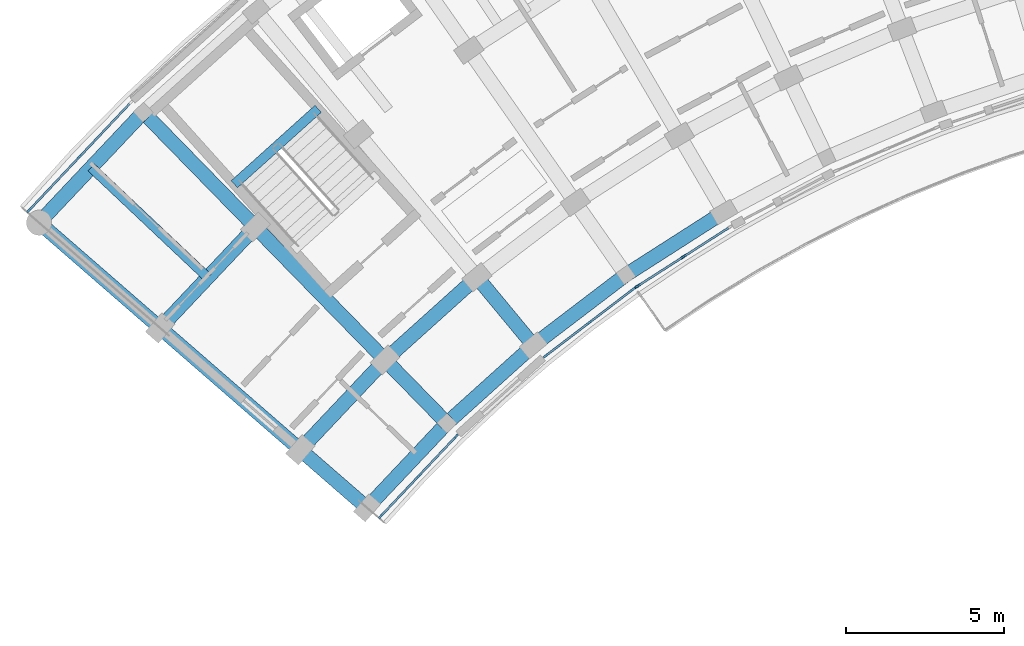
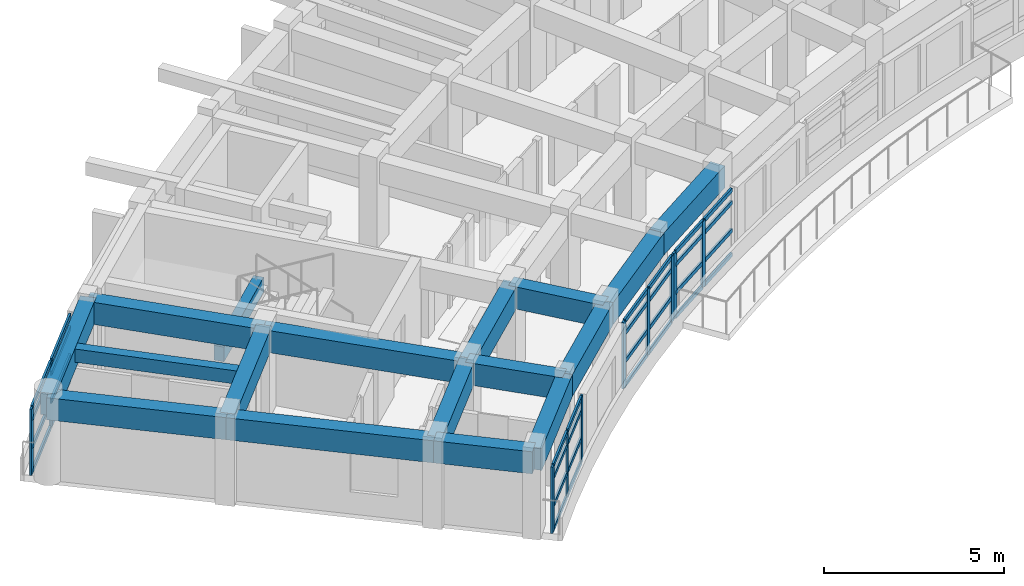
# One storey, part 3 of 56: 42 members, 17 beams, 4 elements without a shape of their own.
"""IFC4 building model written with IfcOpenShell, lengths in metres."""

from ifc_helpers import new_model, si_unit, direction, frame, origin, origin_2d, place, context, subcontext, project, spatial, rectangle, extrude, material, material_profile, profile_set, type_object, element, aggregate, save


model = new_model("IFC4")

# Units and contexts
model_context = context("Model", 3, precision=1e-05, world=origin(), true_north=direction((0.0, 1.0)))
body_context = subcontext(model_context, "Body", "Model", "MODEL_VIEW")
ifc_project = project(units=[si_unit("LENGTHUNIT", "METRE"), si_unit("AREAUNIT", "SQUARE_METRE"), si_unit("VOLUMEUNIT", "CUBIC_METRE"), si_unit("PLANEANGLEUNIT", "RADIAN"), si_unit("MASSUNIT", "GRAM", prefix="KILO")], contexts=[model_context])

# Site, building, storey
site_placement = place(None, origin())
site = spatial("IfcSite", under=ifc_project, at=site_placement, CompositionType="ELEMENT")
building_placement = place(site_placement, origin())
building = spatial("IfcBuilding", under=site, at=building_placement, Name="Zimvara Arc Housing Community", CompositionType="ELEMENT")
storey_placement = place(building_placement, frame((0.0, 0.0, 11.199951171875)))
storey = spatial("IfcBuildingStorey", under=building, at=storey_placement, Name="L03", CompositionType="ELEMENT", Elevation=11.199951171875)

# Beams
ifc_material_1 = material(Name="Concrete C40/50", Category="concrete")
ifc_material_profile_1 = material_profile(ifc_material_1, rectangle(XDim=0.300048828125, YDim=0.449951171875, at=origin_2d()), Name="RC 300x450")
ifc_profile_set_1 = profile_set([ifc_material_profile_1], Name="Concrete C40/50")
beam_type_1 = type_object("IfcBeamType", Name="BM-RC-300x450", PredefinedType="JOIST", material=ifc_profile_set_1)
beam_1_placement = place(storey_placement, frame((5.904296875, 81.3935546875, 2.635009765625), z_axis=(-0.727299876429, 0.686319815936, 0.0), x_axis=(-0.686319815936, -0.727299876429, 0.0)))
element("IfcBeam", 1, at=beam_1_placement, inside=storey, type_object=beam_type_1, Name="bm:blkA:L03:joist:b0", PredefinedType="JOIST", context=body_context, shape_type="SweptSolid", body=[
    extrude(rectangle(XDim=0.300048828125, YDim=0.449951171875, at=origin_2d()), origin(), (0.0, 0.0, 1.0), 5.075927734375),
])
ifc_material_2 = material(Name="Concrete C40/50", Category="concrete")
ifc_material_profile_2 = material_profile(ifc_material_2, rectangle(XDim=0.300048828125, YDim=0.5, at=origin_2d()), Name="RC 300x500")
ifc_profile_set_2 = profile_set([ifc_material_profile_2], Name="Concrete C40/50")
beam_type_2 = type_object("IfcBeamType", Name="BM-RC-300x500", PredefinedType="BEAM", material=ifc_profile_set_2)
beam_2_placement = place(storey_placement, frame((9.39990234375, 86.734375, 1.300048828125), z_axis=(-0.743362151162, -0.668889162881, 0.0), x_axis=(0.668889162881, -0.743362151162, 0.0)))
element("IfcBeam", 2, at=beam_2_placement, inside=storey, type_object=beam_type_2, Name="bm:stair_trim:ST-A1:L03:mid", PredefinedType="BEAM", context=body_context, shape_type="SweptSolid", body=[
    extrude(rectangle(XDim=0.300048828125, YDim=0.5, at=origin_2d()), origin(), (0.0, 0.0, 1.0), 3.570068359375),
])
ifc_material_3 = material(Name="Concrete C40/50", Category="concrete")
ifc_material_profile_3 = material_profile(ifc_material_3, rectangle(XDim=0.449951171875, YDim=0.75, at=origin_2d()), Name="RC 450x750")
ifc_profile_set_3 = profile_set([ifc_material_profile_3], Name="Concrete C40/50")
beam_type_3 = type_object("IfcBeamType", Name="BM-RC-450x750", PredefinedType="BEAM", material=ifc_profile_set_3)
beam_3_placement = place(storey_placement, frame((10.947509765625, 74.101318359375, 2.485107421875), z_axis=(0.686335517678, 0.727285059088, 0.0), x_axis=(-0.727285059088, 0.686335517678, 0.0)))
element("IfcBeam", 3, at=beam_3_placement, inside=storey, type_object=beam_type_3, Name="bm:blkA:L03:chord:r0:b0", PredefinedType="BEAM", context=body_context, shape_type="SweptSolid", body=[
    extrude(rectangle(XDim=0.449951171875, YDim=0.75, at=origin_2d()), origin(), (0.0, 0.0, 1.0), 3.6845703125),
])
beam_4_placement = place(storey_placement, frame((13.476318359375, 76.781005859375, 2.485107421875), z_axis=(0.743366631239, 0.668884183966, 0.0), x_axis=(-0.668884183966, 0.743366631239, 0.0)))
element("IfcBeam", 4, at=beam_4_placement, inside=storey, type_object=beam_type_3, Name="bm:blkA:L03:chord:r0:b1", PredefinedType="BEAM", context=body_context, shape_type="SweptSolid", body=[
    extrude(rectangle(XDim=0.449951171875, YDim=0.75, at=origin_2d()), origin(), (0.0, 0.0, 1.0), 3.684326171875),
])
beam_5_placement = place(storey_placement, frame((16.215087890625, 79.245361328125, 2.485107421875), z_axis=(0.795453014049, 0.606015265847, 0.0), x_axis=(-0.606015265847, 0.795453014049, 0.0)))
element("IfcBeam", 5, at=beam_5_placement, inside=storey, type_object=beam_type_3, Name="bm:blkA:L03:chord:r0:b2", PredefinedType="BEAM", context=body_context, shape_type="SweptSolid", body=[
    extrude(rectangle(XDim=0.449951171875, YDim=0.75, at=origin_2d()), origin(), (0.0, 0.0, 1.0), 3.6845703125),
])
beam_6_placement = place(storey_placement, frame((19.14599609375, 81.478271484375, 2.485107421875), z_axis=(0.842272604079, 0.539051816079, 0.0), x_axis=(-0.539051816079, 0.842272604079, 0.0)))
element("IfcBeam", 6, at=beam_6_placement, inside=storey, type_object=beam_type_3, Name="bm:blkA:L03:chord:r0:b3", PredefinedType="BEAM", context=body_context, shape_type="SweptSolid", body=[
    extrude(rectangle(XDim=0.449951171875, YDim=0.75, at=origin_2d()), origin(), (0.0, 0.0, 1.0), 3.684326171875),
])
beam_7_placement = place(storey_placement, frame((8.834228515625, 75.938232421875, 2.485107421875), z_axis=(0.686315710793, 0.727303750243, 0.0), x_axis=(-0.727303750243, 0.686315710793, 0.0)))
element("IfcBeam", 7, at=beam_7_placement, inside=storey, type_object=beam_type_3, Name="bm:blkA:L03:chord:r1:b0", PredefinedType="BEAM", context=body_context, shape_type="SweptSolid", body=[
    extrude(rectangle(XDim=0.449951171875, YDim=0.75, at=origin_2d()), origin(), (0.0, 0.0, 1.0), 3.913330078125),
])
beam_8_placement = place(storey_placement, frame((11.52001953125, 78.784423828125, 2.485107421875), z_axis=(0.743402719516, 0.668844074965, 0.0), x_axis=(-0.668844074965, 0.743402719516, 0.0)))
element("IfcBeam", 8, at=beam_8_placement, inside=storey, type_object=beam_type_3, Name="bm:blkA:L03:chord:r1:b1", PredefinedType="BEAM", context=body_context, shape_type="SweptSolid", body=[
    extrude(rectangle(XDim=0.449951171875, YDim=0.75, at=origin_2d()), origin(), (0.0, 0.0, 1.0), 3.9130859375),
])
beam_9_placement = place(storey_placement, frame((4.396728515625, 79.7958984375, 2.485107421875), z_axis=(0.686303637813, 0.727315142648, 0.0), x_axis=(-0.727315142648, 0.686303637813, 0.0)))
element("IfcBeam", 9, at=beam_9_placement, inside=storey, type_object=beam_type_3, Name="bm:blkA:L03:chord:r2:b0", PredefinedType="BEAM", context=body_context, shape_type="SweptSolid", body=[
    extrude(rectangle(XDim=0.449951171875, YDim=0.75, at=origin_2d()), origin(), (0.0, 0.0, 1.0), 4.393310546875),
])
beam_10_placement = place(storey_placement, frame((0.562744140625, 83.128662109375, 2.485107421875), z_axis=(0.6862954451, 0.727322873307, 0.0), x_axis=(-0.727322873307, 0.6862954451, 0.0)))
element("IfcBeam", 10, at=beam_10_placement, inside=storey, type_object=beam_type_3, Name="bm:blkA:L03:chord:r3:b0", PredefinedType="BEAM", context=body_context, shape_type="SweptSolid", body=[
    extrude(rectangle(XDim=0.449951171875, YDim=0.75, at=origin_2d()), origin(), (0.0, 0.0, 1.0), 4.80810546875),
])
beam_11_placement = place(storey_placement, frame((10.947509765625, 74.101318359375, 2.485107421875), z_axis=(-0.754733151583, 0.656031912259, 0.0), x_axis=(-0.656031912259, -0.754733151583, 0.0)))
element("IfcBeam", 11, at=beam_11_placement, inside=storey, type_object=beam_type_3, Name="bm:blkA:L03:rad:b0:r01", PredefinedType="BEAM", context=body_context, shape_type="SweptSolid", body=[
    extrude(rectangle(XDim=0.449951171875, YDim=0.75, at=origin_2d()), origin(), (0.0, 0.0, 1.0), 2.800048828125),
])
beam_12_placement = place(storey_placement, frame((8.834228515625, 75.938232421875, 2.485107421875), z_axis=(-0.754692223258, 0.656078995362, 0.0), x_axis=(-0.656078995362, -0.754692223258, 0.0)))
element("IfcBeam", 12, at=beam_12_placement, inside=storey, type_object=beam_type_3, Name="bm:blkA:L03:rad:b0:r12", PredefinedType="BEAM", context=body_context, shape_type="SweptSolid", body=[
    extrude(rectangle(XDim=0.449951171875, YDim=0.75, at=origin_2d()), origin(), (0.0, 0.0, 1.0), 5.8798828125),
])
beam_13_placement = place(storey_placement, frame((4.396728515625, 79.7958984375, 2.485107421875), z_axis=(-0.754716217499, 0.656051393599, 0.0), x_axis=(-0.656051393599, -0.754716217499, 0.0)))
element("IfcBeam", 13, at=beam_13_placement, inside=storey, type_object=beam_type_3, Name="bm:blkA:L03:rad:b0:r23", PredefinedType="BEAM", context=body_context, shape_type="SweptSolid", body=[
    extrude(rectangle(XDim=0.449951171875, YDim=0.75, at=origin_2d()), origin(), (0.0, 0.0, 1.0), 5.080078125),
])
beam_14_placement = place(storey_placement, frame((13.476318359375, 76.781005859375, 2.485107421875), z_axis=(-0.698643013894, 0.71547043205, 0.0), x_axis=(-0.71547043205, -0.698643013894, 0.0)))
element("IfcBeam", 14, at=beam_14_placement, inside=storey, type_object=beam_type_3, Name="bm:blkA:L03:rad:b1:r01", PredefinedType="BEAM", context=body_context, shape_type="SweptSolid", body=[
    extrude(rectangle(XDim=0.449951171875, YDim=0.75, at=origin_2d()), origin(), (0.0, 0.0, 1.0), 2.800048828125),
])
beam_15_placement = place(storey_placement, frame((11.52001953125, 78.784423828125, 2.485107421875), z_axis=(-0.698669844288, 0.715444231707, 0.0), x_axis=(-0.715444231707, -0.698669844288, 0.0)))
element("IfcBeam", 15, at=beam_15_placement, inside=storey, type_object=beam_type_3, Name="bm:blkA:L03:rad:b1:r12", PredefinedType="BEAM", context=body_context, shape_type="SweptSolid", body=[
    extrude(rectangle(XDim=0.449951171875, YDim=0.75, at=origin_2d()), origin(), (0.0, 0.0, 1.0), 5.8798828125),
])
beam_16_placement = place(storey_placement, frame((7.411865234375, 82.9912109375, 2.485107421875), z_axis=(-0.698670885014, 0.71544321538, 0.0), x_axis=(-0.71544321538, -0.698670885014, 0.0)))
element("IfcBeam", 16, at=beam_16_placement, inside=storey, type_object=beam_type_3, Name="bm:blkA:L03:rad:b1:r23", PredefinedType="BEAM", context=body_context, shape_type="SweptSolid", body=[
    extrude(rectangle(XDim=0.449951171875, YDim=0.75, at=origin_2d()), origin(), (0.0, 0.0, 1.0), 5.080078125),
])
beam_17_placement = place(storey_placement, frame((16.215087890625, 79.245361328125, 2.485107421875), z_axis=(-0.637917412223, 0.770104781951, 0.0), x_axis=(-0.770104781951, -0.637917412223, 0.0)))
element("IfcBeam", 17, at=beam_17_placement, inside=storey, type_object=beam_type_3, Name="bm:blkA:L03:rad:b2:r01", PredefinedType="BEAM", context=body_context, shape_type="SweptSolid", body=[
    extrude(rectangle(XDim=0.449951171875, YDim=0.75, at=origin_2d()), origin(), (0.0, 0.0, 1.0), 2.800048828125),
])

# Curtain wall, members
ifc_material_4 = material(Name="Anodised Aluminium AW-6063", Category="aluminium")
curtain_wall_type_1 = type_object("IfcCurtainWallType", Name="CW-SYS-08", PredefinedType="USERDEFINED", material=ifc_material_4)
curtain_wall_1_placement = place(storey_placement, origin())
curtain_wall_1 = element("IfcCurtainWall", 18, at=curtain_wall_1_placement, inside=storey, type_object=curtain_wall_type_1, Name="cw:blkA:L03:in:b0", ObjectType="CURTAIN WALL", PredefinedType="USERDEFINED")
ifc_material_5 = material(Name="Anodised Aluminium AW-6063", Category="aluminium")
ifc_material_profile_4 = material_profile(ifc_material_5, rectangle(XDim=0.06494140625, YDim=0.179931640625, at=origin_2d()), Name="ALU 65x180")
ifc_profile_set_4 = profile_set([ifc_material_profile_4], Name="Anodised Aluminium AW-6063")
member_type_1 = type_object("IfcMemberType", Name="CWM-65x150", PredefinedType="MULLION", material=ifc_profile_set_4)
member_1_placement = place(storey_placement, frame((11.388427734375, 73.840576171875, 0.0), z_axis=(0.0, 0.0, 1.0), x_axis=(-0.727293280483, 0.686326805658, 0.0)))
member_1 = element("IfcMember", 19, at=member_1_placement, type_object=member_type_1, Name="CW08 mullion 1", PredefinedType="MULLION", context=body_context, shape_type="SweptSolid", body=[
    extrude(rectangle(XDim=0.06494140625, YDim=0.179931640625, at=origin_2d()), origin(), (0.0, 0.0, 1.0), 2.25),
])
member_2_placement = place(storey_placement, frame((12.5751953125, 75.098388671875, 0.0), z_axis=(0.0, 0.0, 1.0), x_axis=(-0.727293280483, 0.686326805658, 0.0)))
member_2 = element("IfcMember", 20, at=member_2_placement, type_object=member_type_1, Name="CW08 mullion 2", PredefinedType="MULLION", context=body_context, shape_type="SweptSolid", body=[
    extrude(rectangle(XDim=0.06494140625, YDim=0.179931640625, at=origin_2d()), origin(), (0.0, 0.0, 1.0), 2.25),
])
member_3_placement = place(storey_placement, frame((13.761962890625, 76.35595703125, 0.0), z_axis=(0.0, 0.0, 1.0), x_axis=(-0.727293280483, 0.686326805658, 0.0)))
member_3 = element("IfcMember", 21, at=member_3_placement, type_object=member_type_1, Name="CW08 mullion 3", PredefinedType="MULLION", context=body_context, shape_type="SweptSolid", body=[
    extrude(rectangle(XDim=0.06494140625, YDim=0.179931640625, at=origin_2d()), origin(), (0.0, 0.0, 1.0), 2.25),
])

ifc_material_6 = material(Name="Anodised Aluminium AW-6063", Category="aluminium")
curtain_wall_type_2 = type_object("IfcCurtainWallType", Name="CW-SYS-02", PredefinedType="USERDEFINED", material=ifc_material_6)
curtain_wall_2_placement = place(storey_placement, origin())
curtain_wall_2 = element("IfcCurtainWall", 22, at=curtain_wall_2_placement, inside=storey, type_object=curtain_wall_type_2, Name="cw:blkA:L03:in:b2", ObjectType="CURTAIN WALL", PredefinedType="USERDEFINED")
member_4_placement = place(storey_placement, frame((16.607666015625, 78.91650390625, 0.0), z_axis=(0.0, 0.0, 1.0), x_axis=(-0.605988318533, 0.795473543119, 0.0)))
member_4 = element("IfcMember", 23, at=member_4_placement, type_object=member_type_1, Name="CW02 mullion 1", PredefinedType="MULLION", context=body_context, shape_type="SweptSolid", body=[
    extrude(rectangle(XDim=0.06494140625, YDim=0.179931640625, at=origin_2d()), origin(), (0.0, 0.0, 1.0), 2.25),
])
member_5_placement = place(storey_placement, frame((17.9833984375, 79.96435546875, 0.0), z_axis=(0.0, 0.0, 1.0), x_axis=(-0.605988318533, 0.795473543119, 0.0)))
member_5 = element("IfcMember", 24, at=member_5_placement, type_object=member_type_1, Name="CW02 mullion 2", PredefinedType="MULLION", context=body_context, shape_type="SweptSolid", body=[
    extrude(rectangle(XDim=0.06494140625, YDim=0.179931640625, at=origin_2d()), origin(), (0.0, 0.0, 1.0), 2.25),
])
member_6_placement = place(storey_placement, frame((19.35888671875, 81.012451171875, 0.0), z_axis=(0.0, 0.0, 1.0), x_axis=(-0.605988318533, 0.795473543119, 0.0)))
member_6 = element("IfcMember", 25, at=member_6_placement, type_object=member_type_1, Name="CW02 mullion 3", PredefinedType="MULLION", context=body_context, shape_type="SweptSolid", body=[
    extrude(rectangle(XDim=0.06494140625, YDim=0.179931640625, at=origin_2d()), origin(), (0.0, 0.0, 1.0), 2.25),
])

ifc_material_7 = material(Name="Anodised Aluminium AW-6063", Category="aluminium")
curtain_wall_type_3 = type_object("IfcCurtainWallType", Name="CW-SYS-04", PredefinedType="USERDEFINED", material=ifc_material_7)
curtain_wall_3_placement = place(storey_placement, origin())
curtain_wall_3 = element("IfcCurtainWall", 26, at=curtain_wall_3_placement, inside=storey, type_object=curtain_wall_type_3, Name="cw:blkA:L03:in:b3", ObjectType="CURTAIN WALL", PredefinedType="USERDEFINED")
member_7_placement = place(storey_placement, frame((19.510498046875, 81.118408203125, 0.0), z_axis=(0.0, 0.0, 1.0), x_axis=(-0.539064085203, 0.842264751752, 0.0)))
member_7 = element("IfcMember", 27, at=member_7_placement, type_object=member_type_1, Name="CW04 mullion 1", PredefinedType="MULLION", context=body_context, shape_type="SweptSolid", body=[
    extrude(rectangle(XDim=0.06494140625, YDim=0.179931640625, at=origin_2d()), origin(), (0.0, 0.0, 1.0), 2.25),
])
member_8_placement = place(storey_placement, frame((20.967041015625, 82.050537109375, 0.0), z_axis=(0.0, 0.0, 1.0), x_axis=(-0.539064085203, 0.842264751752, 0.0)))
member_8 = element("IfcMember", 28, at=member_8_placement, type_object=member_type_1, Name="CW04 mullion 2", PredefinedType="MULLION", context=body_context, shape_type="SweptSolid", body=[
    extrude(rectangle(XDim=0.06494140625, YDim=0.179931640625, at=origin_2d()), origin(), (0.0, 0.0, 1.0), 2.25),
])

ifc_material_8 = material(Name="Anodised Aluminium AW-6063", Category="aluminium")
curtain_wall_type_4 = type_object("IfcCurtainWallType", Name="CW-SYS-07", PredefinedType="USERDEFINED", material=ifc_material_8)
curtain_wall_4_placement = place(storey_placement, origin())
curtain_wall_4 = element("IfcCurtainWall", 29, at=curtain_wall_4_placement, inside=storey, type_object=curtain_wall_type_4, Name="cw:blkA:L03:out:b0", ObjectType="CURTAIN WALL", PredefinedType="USERDEFINED")
ifc_material_9 = material(Name="Anodised Aluminium AW-6063", Category="aluminium")
ifc_material_profile_5 = material_profile(ifc_material_9, rectangle(XDim=0.06494140625, YDim=0.195068359375, at=origin_2d()), Name="ALU 65x195")
ifc_profile_set_5 = profile_set([ifc_material_profile_5], Name="Anodised Aluminium AW-6063")
member_type_2 = type_object("IfcMemberType", Name="CWM-65x180", PredefinedType="MULLION", material=ifc_profile_set_5)
member_9_placement = place(storey_placement, frame((0.248779296875, 83.524169921875, 0.0), z_axis=(0.0, 0.0, 1.0), x_axis=(-0.727293647725, 0.686326416495, 0.0)))
member_9 = element("IfcMember", 30, at=member_9_placement, type_object=member_type_2, Name="CW07 mullion 1", PredefinedType="MULLION", context=body_context, shape_type="SweptSolid", body=[
    extrude(rectangle(XDim=0.06494140625, YDim=0.195068359375, at=origin_2d()), origin(), (0.0, 0.0, 1.0), 2.25),
])
member_10_placement = place(storey_placement, frame((1.849365234375, 85.219970703125, 0.0), z_axis=(0.0, 0.0, 1.0), x_axis=(-0.727293647725, 0.686326416495, 0.0)))
member_10 = element("IfcMember", 31, at=member_10_placement, type_object=member_type_2, Name="CW07 mullion 2", PredefinedType="MULLION", context=body_context, shape_type="SweptSolid", body=[
    extrude(rectangle(XDim=0.06494140625, YDim=0.195068359375, at=origin_2d()), origin(), (0.0, 0.0, 1.0), 2.25),
])

# Member
ifc_material_10 = material(Name="Anodised Aluminium AW-6063", Category="aluminium")
ifc_material_profile_6 = material_profile(ifc_material_10, rectangle(XDim=0.06494140625, YDim=0.139892578125, at=origin_2d()), Name="ALU 65x140")
ifc_profile_set_6 = profile_set([ifc_material_profile_6], Name="Anodised Aluminium AW-6063")
member_type_3 = type_object("IfcMemberType", Name="CWT-65x120", PredefinedType="USERDEFINED", material=ifc_profile_set_6)
member_11_placement = place(storey_placement, frame((11.41064453125, 73.8642578125, 0.032470703125), z_axis=(0.686347817597, 0.727273451516, 0.0), x_axis=(-0.727273451516, 0.686347817597, 0.0)))
member_11 = element("IfcMember", 32, at=member_11_placement, type_object=member_type_3, Name="CW08 transom 1.1", ObjectType="TRANSOM", PredefinedType="USERDEFINED", context=body_context, shape_type="SweptSolid", body=[
    extrude(rectangle(XDim=0.06494140625, YDim=0.139892578125, at=origin_2d()), origin(), (0.0, 0.0, 1.0), 1.664306640625),
])

member_12_placement = place(storey_placement, frame((11.41064453125, 73.8642578125, 0.85009765625), z_axis=(0.686347817597, 0.727273451516, 0.0), x_axis=(-0.727273451516, 0.686347817597, 0.0)))
member_12 = element("IfcMember", 33, at=member_12_placement, type_object=member_type_3, Name="CW08 transom 1.2", ObjectType="TRANSOM", PredefinedType="USERDEFINED", context=body_context, shape_type="SweptSolid", body=[
    extrude(rectangle(XDim=0.06494140625, YDim=0.139892578125, at=origin_2d()), origin(), (0.0, 0.0, 1.0), 1.664306640625),
])

member_13_placement = place(storey_placement, frame((11.41064453125, 73.8642578125, 1.800048828125), z_axis=(0.686347817597, 0.727273451516, 0.0), x_axis=(-0.727273451516, 0.686347817597, 0.0)))
member_13 = element("IfcMember", 34, at=member_13_placement, type_object=member_type_3, Name="CW08 transom 1.3", ObjectType="TRANSOM", PredefinedType="USERDEFINED", context=body_context, shape_type="SweptSolid", body=[
    extrude(rectangle(XDim=0.06494140625, YDim=0.139892578125, at=origin_2d()), origin(), (0.0, 0.0, 1.0), 1.664306640625),
])

member_14_placement = place(storey_placement, frame((11.41064453125, 73.8642578125, 2.217529296875), z_axis=(0.686347817597, 0.727273451516, 0.0), x_axis=(-0.727273451516, 0.686347817597, 0.0)))
member_14 = element("IfcMember", 35, at=member_14_placement, type_object=member_type_3, Name="CW08 transom 1.4", ObjectType="TRANSOM", PredefinedType="USERDEFINED", context=body_context, shape_type="SweptSolid", body=[
    extrude(rectangle(XDim=0.06494140625, YDim=0.139892578125, at=origin_2d()), origin(), (0.0, 0.0, 1.0), 1.664306640625),
])

member_15_placement = place(storey_placement, frame((12.597412109375, 75.1220703125, 0.032470703125), z_axis=(0.686347817597, 0.727273451516, 0.0), x_axis=(-0.727273451516, 0.686347817597, 0.0)))
member_15 = element("IfcMember", 36, at=member_15_placement, type_object=member_type_3, Name="CW08 transom 2.1", ObjectType="TRANSOM", PredefinedType="USERDEFINED", context=body_context, shape_type="SweptSolid", body=[
    extrude(rectangle(XDim=0.06494140625, YDim=0.139892578125, at=origin_2d()), origin(), (0.0, 0.0, 1.0), 1.664306640625),
])

member_16_placement = place(storey_placement, frame((12.597412109375, 75.1220703125, 0.85009765625), z_axis=(0.686347817597, 0.727273451516, 0.0), x_axis=(-0.727273451516, 0.686347817597, 0.0)))
member_16 = element("IfcMember", 37, at=member_16_placement, type_object=member_type_3, Name="CW08 transom 2.2", ObjectType="TRANSOM", PredefinedType="USERDEFINED", context=body_context, shape_type="SweptSolid", body=[
    extrude(rectangle(XDim=0.06494140625, YDim=0.139892578125, at=origin_2d()), origin(), (0.0, 0.0, 1.0), 1.664306640625),
])

member_17_placement = place(storey_placement, frame((12.597412109375, 75.1220703125, 1.800048828125), z_axis=(0.686347817597, 0.727273451516, 0.0), x_axis=(-0.727273451516, 0.686347817597, 0.0)))
member_17 = element("IfcMember", 38, at=member_17_placement, type_object=member_type_3, Name="CW08 transom 2.3", ObjectType="TRANSOM", PredefinedType="USERDEFINED", context=body_context, shape_type="SweptSolid", body=[
    extrude(rectangle(XDim=0.06494140625, YDim=0.139892578125, at=origin_2d()), origin(), (0.0, 0.0, 1.0), 1.664306640625),
])

member_18_placement = place(storey_placement, frame((12.597412109375, 75.1220703125, 2.217529296875), z_axis=(0.686347817597, 0.727273451516, 0.0), x_axis=(-0.727273451516, 0.686347817597, 0.0)))
member_18 = element("IfcMember", 39, at=member_18_placement, type_object=member_type_3, Name="CW08 transom 2.4", ObjectType="TRANSOM", PredefinedType="USERDEFINED", context=body_context, shape_type="SweptSolid", body=[
    extrude(rectangle(XDim=0.06494140625, YDim=0.139892578125, at=origin_2d()), origin(), (0.0, 0.0, 1.0), 1.664306640625),
])

aggregate(curtain_wall_1, [member_1, member_2, member_3, member_11, member_12, member_13, member_14, member_15, member_16, member_17, member_18])

member_19_placement = place(storey_placement, frame((16.633544921875, 78.936279296875, 0.032470703125), z_axis=(0.795488960577, 0.605968079687, 0.0), x_axis=(-0.605968079687, 0.795488960577, 0.0)))
member_19 = element("IfcMember", 40, at=member_19_placement, type_object=member_type_3, Name="CW02 transom 1.1", ObjectType="TRANSOM", PredefinedType="USERDEFINED", context=body_context, shape_type="SweptSolid", body=[
    extrude(rectangle(XDim=0.06494140625, YDim=0.139892578125, at=origin_2d()), origin(), (0.0, 0.0, 1.0), 1.664306640625),
])

member_20_placement = place(storey_placement, frame((16.633544921875, 78.936279296875, 0.85009765625), z_axis=(0.795488960577, 0.605968079687, 0.0), x_axis=(-0.605968079687, 0.795488960577, 0.0)))
member_20 = element("IfcMember", 41, at=member_20_placement, type_object=member_type_3, Name="CW02 transom 1.2", ObjectType="TRANSOM", PredefinedType="USERDEFINED", context=body_context, shape_type="SweptSolid", body=[
    extrude(rectangle(XDim=0.06494140625, YDim=0.139892578125, at=origin_2d()), origin(), (0.0, 0.0, 1.0), 1.664306640625),
])

member_21_placement = place(storey_placement, frame((16.633544921875, 78.936279296875, 1.800048828125), z_axis=(0.795488960577, 0.605968079687, 0.0), x_axis=(-0.605968079687, 0.795488960577, 0.0)))
member_21 = element("IfcMember", 42, at=member_21_placement, type_object=member_type_3, Name="CW02 transom 1.3", ObjectType="TRANSOM", PredefinedType="USERDEFINED", context=body_context, shape_type="SweptSolid", body=[
    extrude(rectangle(XDim=0.06494140625, YDim=0.139892578125, at=origin_2d()), origin(), (0.0, 0.0, 1.0), 1.664306640625),
])

member_22_placement = place(storey_placement, frame((16.633544921875, 78.936279296875, 2.217529296875), z_axis=(0.795488960577, 0.605968079687, 0.0), x_axis=(-0.605968079687, 0.795488960577, 0.0)))
member_22 = element("IfcMember", 43, at=member_22_placement, type_object=member_type_3, Name="CW02 transom 1.4", ObjectType="TRANSOM", PredefinedType="USERDEFINED", context=body_context, shape_type="SweptSolid", body=[
    extrude(rectangle(XDim=0.06494140625, YDim=0.139892578125, at=origin_2d()), origin(), (0.0, 0.0, 1.0), 1.664306640625),
])

member_23_placement = place(storey_placement, frame((18.00927734375, 79.984130859375, 0.032470703125), z_axis=(0.795435087713, 0.606038795157, 0.0), x_axis=(-0.606038795157, 0.795435087713, 0.0)))
member_23 = element("IfcMember", 44, at=member_23_placement, type_object=member_type_3, Name="CW02 transom 2.1", ObjectType="TRANSOM", PredefinedType="USERDEFINED", context=body_context, shape_type="SweptSolid", body=[
    extrude(rectangle(XDim=0.06494140625, YDim=0.139892578125, at=origin_2d()), origin(), (0.0, 0.0, 1.0), 1.6640625),
])

member_24_placement = place(storey_placement, frame((18.00927734375, 79.984130859375, 0.85009765625), z_axis=(0.795435087713, 0.606038795157, 0.0), x_axis=(-0.606038795157, 0.795435087713, 0.0)))
member_24 = element("IfcMember", 45, at=member_24_placement, type_object=member_type_3, Name="CW02 transom 2.2", ObjectType="TRANSOM", PredefinedType="USERDEFINED", context=body_context, shape_type="SweptSolid", body=[
    extrude(rectangle(XDim=0.06494140625, YDim=0.139892578125, at=origin_2d()), origin(), (0.0, 0.0, 1.0), 1.6640625),
])

member_25_placement = place(storey_placement, frame((18.00927734375, 79.984130859375, 1.800048828125), z_axis=(0.795435087713, 0.606038795157, 0.0), x_axis=(-0.606038795157, 0.795435087713, 0.0)))
member_25 = element("IfcMember", 46, at=member_25_placement, type_object=member_type_3, Name="CW02 transom 2.3", ObjectType="TRANSOM", PredefinedType="USERDEFINED", context=body_context, shape_type="SweptSolid", body=[
    extrude(rectangle(XDim=0.06494140625, YDim=0.139892578125, at=origin_2d()), origin(), (0.0, 0.0, 1.0), 1.6640625),
])

member_26_placement = place(storey_placement, frame((18.00927734375, 79.984130859375, 2.217529296875), z_axis=(0.795435087713, 0.606038795157, 0.0), x_axis=(-0.606038795157, 0.795435087713, 0.0)))
member_26 = element("IfcMember", 47, at=member_26_placement, type_object=member_type_3, Name="CW02 transom 2.4", ObjectType="TRANSOM", PredefinedType="USERDEFINED", context=body_context, shape_type="SweptSolid", body=[
    extrude(rectangle(XDim=0.06494140625, YDim=0.139892578125, at=origin_2d()), origin(), (0.0, 0.0, 1.0), 1.6640625),
])

aggregate(curtain_wall_2, [member_4, member_5, member_6, member_19, member_20, member_21, member_22, member_23, member_24, member_25, member_26])

member_27_placement = place(storey_placement, frame((19.537841796875, 81.1357421875, 0.032470703125), z_axis=(0.842263408668, 0.539066183709, 0.0), x_axis=(-0.539066183709, 0.842263408668, 0.0)))
member_27 = element("IfcMember", 48, at=member_27_placement, type_object=member_type_3, Name="CW04 transom 1.1", ObjectType="TRANSOM", PredefinedType="USERDEFINED", context=body_context, shape_type="SweptSolid", body=[
    extrude(rectangle(XDim=0.06494140625, YDim=0.139892578125, at=origin_2d()), origin(), (0.0, 0.0, 1.0), 1.664306640625),
])

member_28_placement = place(storey_placement, frame((19.537841796875, 81.1357421875, 0.85009765625), z_axis=(0.842263408668, 0.539066183709, 0.0), x_axis=(-0.539066183709, 0.842263408668, 0.0)))
member_28 = element("IfcMember", 49, at=member_28_placement, type_object=member_type_3, Name="CW04 transom 1.2", ObjectType="TRANSOM", PredefinedType="USERDEFINED", context=body_context, shape_type="SweptSolid", body=[
    extrude(rectangle(XDim=0.06494140625, YDim=0.139892578125, at=origin_2d()), origin(), (0.0, 0.0, 1.0), 1.664306640625),
])

member_29_placement = place(storey_placement, frame((19.537841796875, 81.1357421875, 1.800048828125), z_axis=(0.842263408668, 0.539066183709, 0.0), x_axis=(-0.539066183709, 0.842263408668, 0.0)))
member_29 = element("IfcMember", 50, at=member_29_placement, type_object=member_type_3, Name="CW04 transom 1.3", ObjectType="TRANSOM", PredefinedType="USERDEFINED", context=body_context, shape_type="SweptSolid", body=[
    extrude(rectangle(XDim=0.06494140625, YDim=0.139892578125, at=origin_2d()), origin(), (0.0, 0.0, 1.0), 1.664306640625),
])

member_30_placement = place(storey_placement, frame((19.537841796875, 81.1357421875, 2.217529296875), z_axis=(0.842263408668, 0.539066183709, 0.0), x_axis=(-0.539066183709, 0.842263408668, 0.0)))
member_30 = element("IfcMember", 51, at=member_30_placement, type_object=member_type_3, Name="CW04 transom 1.4", ObjectType="TRANSOM", PredefinedType="USERDEFINED", context=body_context, shape_type="SweptSolid", body=[
    extrude(rectangle(XDim=0.06494140625, YDim=0.139892578125, at=origin_2d()), origin(), (0.0, 0.0, 1.0), 1.664306640625),
])

member_31_placement = place(storey_placement, frame((20.994384765625, 82.068115234375, 0.032470703125), z_axis=(0.842330007588, 0.538962112135, 0.0), x_axis=(-0.538962112135, 0.842330007588, 0.0)))
member_31 = element("IfcMember", 52, at=member_31_placement, type_object=member_type_3, Name="CW04 transom 2.1", ObjectType="TRANSOM", PredefinedType="USERDEFINED", context=body_context, shape_type="SweptSolid", body=[
    extrude(rectangle(XDim=0.06494140625, YDim=0.139892578125, at=origin_2d()), origin(), (0.0, 0.0, 1.0), 1.664306640625),
])

member_32_placement = place(storey_placement, frame((20.994384765625, 82.068115234375, 0.85009765625), z_axis=(0.842330007588, 0.538962112135, 0.0), x_axis=(-0.538962112135, 0.842330007588, 0.0)))
member_32 = element("IfcMember", 53, at=member_32_placement, type_object=member_type_3, Name="CW04 transom 2.2", ObjectType="TRANSOM", PredefinedType="USERDEFINED", context=body_context, shape_type="SweptSolid", body=[
    extrude(rectangle(XDim=0.06494140625, YDim=0.139892578125, at=origin_2d()), origin(), (0.0, 0.0, 1.0), 1.664306640625),
])

member_33_placement = place(storey_placement, frame((20.994384765625, 82.068115234375, 1.800048828125), z_axis=(0.842330007588, 0.538962112135, 0.0), x_axis=(-0.538962112135, 0.842330007588, 0.0)))
member_33 = element("IfcMember", 54, at=member_33_placement, type_object=member_type_3, Name="CW04 transom 2.3", ObjectType="TRANSOM", PredefinedType="USERDEFINED", context=body_context, shape_type="SweptSolid", body=[
    extrude(rectangle(XDim=0.06494140625, YDim=0.139892578125, at=origin_2d()), origin(), (0.0, 0.0, 1.0), 1.664306640625),
])

member_34_placement = place(storey_placement, frame((20.994384765625, 82.068115234375, 2.217529296875), z_axis=(0.842330007588, 0.538962112135, 0.0), x_axis=(-0.538962112135, 0.842330007588, 0.0)))
member_34 = element("IfcMember", 55, at=member_34_placement, type_object=member_type_3, Name="CW04 transom 2.4", ObjectType="TRANSOM", PredefinedType="USERDEFINED", context=body_context, shape_type="SweptSolid", body=[
    extrude(rectangle(XDim=0.06494140625, YDim=0.139892578125, at=origin_2d()), origin(), (0.0, 0.0, 1.0), 1.664306640625),
])

aggregate(curtain_wall_3, [member_7, member_8, member_27, member_28, member_29, member_30, member_31, member_32, member_33, member_34])

ifc_material_11 = material(Name="Anodised Aluminium AW-6063", Category="aluminium")
ifc_material_profile_7 = material_profile(ifc_material_11, rectangle(XDim=0.06494140625, YDim=0.155029296875, at=origin_2d()), Name="ALU 65x155")
ifc_profile_set_7 = profile_set([ifc_material_profile_7], Name="Anodised Aluminium AW-6063")
member_type_4 = type_object("IfcMemberType", Name="CWT-65x140", PredefinedType="USERDEFINED", material=ifc_profile_set_7)
member_35_placement = place(storey_placement, frame((0.271240234375, 83.547607421875, 0.032470703125), z_axis=(0.68623762882, 0.727377423894, 0.0), x_axis=(-0.727377423894, 0.68623762882, 0.0)))
member_35 = element("IfcMember", 56, at=member_35_placement, type_object=member_type_4, Name="CW07 transom 1.1", ObjectType="TRANSOM", PredefinedType="USERDEFINED", context=body_context, shape_type="SweptSolid", body=[
    extrude(rectangle(XDim=0.06494140625, YDim=0.155029296875, at=origin_2d()), origin(), (0.0, 0.0, 1.0), 2.266845703125),
])

member_36_placement = place(storey_placement, frame((0.271240234375, 83.547607421875, 0.85009765625), z_axis=(0.68623762882, 0.727377423894, 0.0), x_axis=(-0.727377423894, 0.68623762882, 0.0)))
member_36 = element("IfcMember", 57, at=member_36_placement, type_object=member_type_4, Name="CW07 transom 1.2", ObjectType="TRANSOM", PredefinedType="USERDEFINED", context=body_context, shape_type="SweptSolid", body=[
    extrude(rectangle(XDim=0.06494140625, YDim=0.155029296875, at=origin_2d()), origin(), (0.0, 0.0, 1.0), 2.266845703125),
])

member_37_placement = place(storey_placement, frame((0.271240234375, 83.547607421875, 1.800048828125), z_axis=(0.68623762882, 0.727377423894, 0.0), x_axis=(-0.727377423894, 0.68623762882, 0.0)))
member_37 = element("IfcMember", 58, at=member_37_placement, type_object=member_type_4, Name="CW07 transom 1.3", ObjectType="TRANSOM", PredefinedType="USERDEFINED", context=body_context, shape_type="SweptSolid", body=[
    extrude(rectangle(XDim=0.06494140625, YDim=0.155029296875, at=origin_2d()), origin(), (0.0, 0.0, 1.0), 2.266845703125),
])

member_38_placement = place(storey_placement, frame((0.271240234375, 83.547607421875, 2.217529296875), z_axis=(0.68623762882, 0.727377423894, 0.0), x_axis=(-0.727377423894, 0.68623762882, 0.0)))
member_38 = element("IfcMember", 59, at=member_38_placement, type_object=member_type_4, Name="CW07 transom 1.4", ObjectType="TRANSOM", PredefinedType="USERDEFINED", context=body_context, shape_type="SweptSolid", body=[
    extrude(rectangle(XDim=0.06494140625, YDim=0.155029296875, at=origin_2d()), origin(), (0.0, 0.0, 1.0), 2.266845703125),
])

member_39_placement = place(storey_placement, frame((1.87158203125, 85.24365234375, 0.032470703125), z_axis=(0.686348357589, 0.727272941911, 0.0), x_axis=(-0.727272941911, 0.686348357589, 0.0)))
member_39 = element("IfcMember", 60, at=member_39_placement, type_object=member_type_4, Name="CW07 transom 2.1", ObjectType="TRANSOM", PredefinedType="USERDEFINED", context=body_context, shape_type="SweptSolid", body=[
    extrude(rectangle(XDim=0.06494140625, YDim=0.155029296875, at=origin_2d()), origin(), (0.0, 0.0, 1.0), 2.266845703125),
])

member_40_placement = place(storey_placement, frame((1.87158203125, 85.24365234375, 0.85009765625), z_axis=(0.686348357589, 0.727272941911, 0.0), x_axis=(-0.727272941911, 0.686348357589, 0.0)))
member_40 = element("IfcMember", 61, at=member_40_placement, type_object=member_type_4, Name="CW07 transom 2.2", ObjectType="TRANSOM", PredefinedType="USERDEFINED", context=body_context, shape_type="SweptSolid", body=[
    extrude(rectangle(XDim=0.06494140625, YDim=0.155029296875, at=origin_2d()), origin(), (0.0, 0.0, 1.0), 2.266845703125),
])

member_41_placement = place(storey_placement, frame((1.87158203125, 85.24365234375, 1.800048828125), z_axis=(0.686348357589, 0.727272941911, 0.0), x_axis=(-0.727272941911, 0.686348357589, 0.0)))
member_41 = element("IfcMember", 62, at=member_41_placement, type_object=member_type_4, Name="CW07 transom 2.3", ObjectType="TRANSOM", PredefinedType="USERDEFINED", context=body_context, shape_type="SweptSolid", body=[
    extrude(rectangle(XDim=0.06494140625, YDim=0.155029296875, at=origin_2d()), origin(), (0.0, 0.0, 1.0), 2.266845703125),
])

member_42_placement = place(storey_placement, frame((1.87158203125, 85.24365234375, 2.217529296875), z_axis=(0.686348357589, 0.727272941911, 0.0), x_axis=(-0.727272941911, 0.686348357589, 0.0)))
member_42 = element("IfcMember", 63, at=member_42_placement, type_object=member_type_4, Name="CW07 transom 2.4", ObjectType="TRANSOM", PredefinedType="USERDEFINED", context=body_context, shape_type="SweptSolid", body=[
    extrude(rectangle(XDim=0.06494140625, YDim=0.155029296875, at=origin_2d()), origin(), (0.0, 0.0, 1.0), 2.266845703125),
])

aggregate(curtain_wall_4, [member_9, member_10, member_35, member_36, member_37, member_38, member_39, member_40, member_41, member_42])

save(model, "model.ifc")
